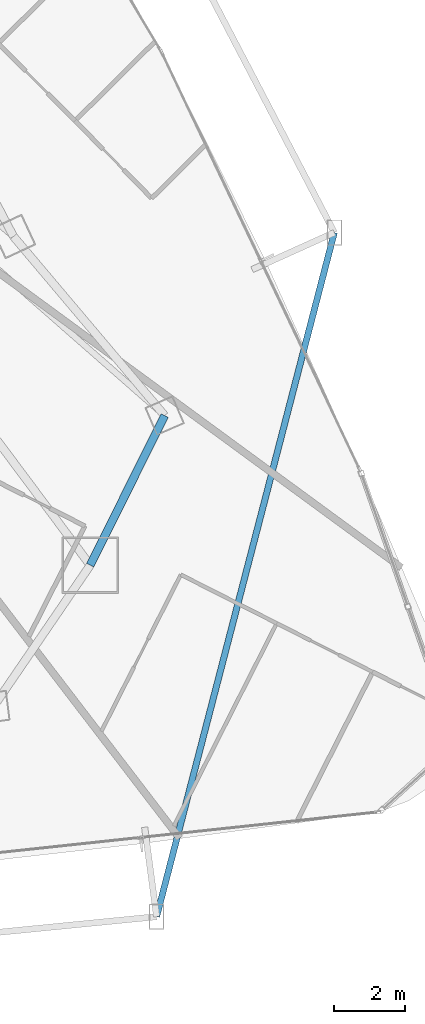
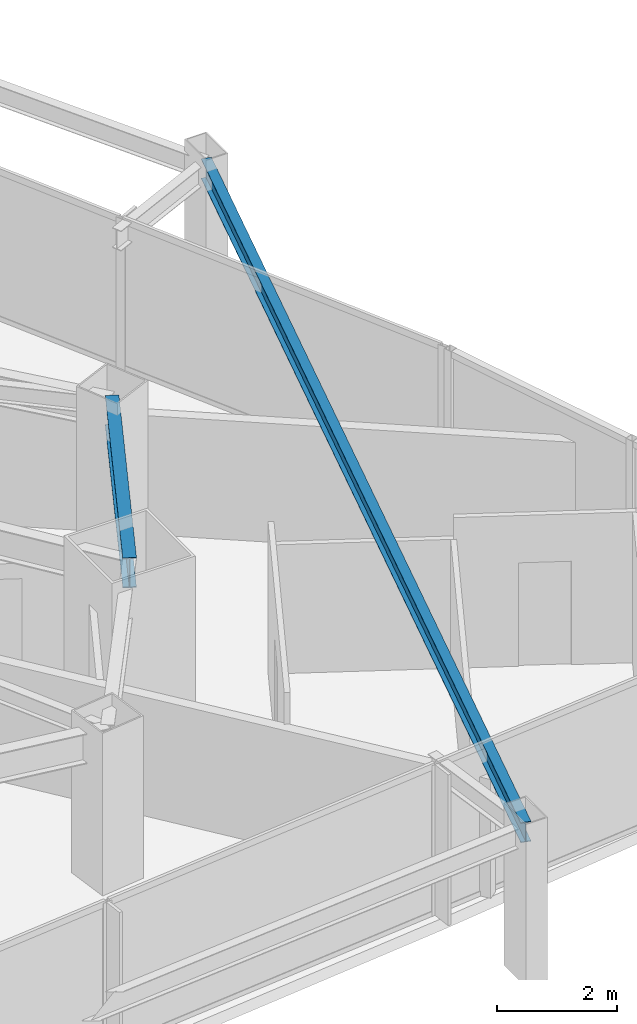
# One storey, part 16 of 35: 2 beams.
"""IFC4 building model written with IfcOpenShell, lengths in metres."""

from ifc_helpers import new_model, si_unit, direction, frame, origin, origin_2d, place, context, subcontext, project, spatial, i_section, extrude, material, material_profile, profile_set, type_object, element, save


model = new_model("IFC4")

# Units and contexts
model_context = context("Model", 3, precision=1e-05, world=origin(), true_north=direction((0.0, 1.0)))
body_context = subcontext(model_context, "Body", "Model", "MODEL_VIEW")
ifc_project = project(units=[si_unit("LENGTHUNIT", "METRE"), si_unit("AREAUNIT", "SQUARE_METRE"), si_unit("VOLUMEUNIT", "CUBIC_METRE"), si_unit("PLANEANGLEUNIT", "RADIAN"), si_unit("MASSUNIT", "GRAM", prefix="KILO")], contexts=[model_context])

# Site, building, storey
site_placement = place(None, origin())
site = spatial("IfcSite", under=ifc_project, at=site_placement, CompositionType="ELEMENT")
building_placement = place(site_placement, origin())
building = spatial("IfcBuilding", under=site, at=building_placement, Name="Orvanel Arch Residences", CompositionType="ELEMENT")
storey_placement = place(building_placement, frame((0.0, 0.0, 26.89990234375)))
storey = spatial("IfcBuildingStorey", under=building, at=storey_placement, Name="L06", CompositionType="ELEMENT", Elevation=26.89990234375)

# Beams
ifc_material = material(Name="Structural steel AS/NZS 3679.1 Grade 300 (300 MPa)", Category="steel")
ifc_material_profile_1 = material_profile(ifc_material, i_section(OverallWidth=0.177978515625, OverallDepth=0.406005859375, WebThickness=0.0078125, FlangeThickness=0.0126953125, at=origin_2d()), Name="410UB59.7")
ifc_profile_set_1 = profile_set([ifc_material_profile_1], Name="Structural steel AS/NZS 3679.1 Grade 300 (300 MPa)")
beam_type_1 = type_object("IfcBeamType", Name="OB-410UB-EXT", PredefinedType="SPANDREL", material=ifc_profile_set_1)
beam_1_placement = place(storey_placement, frame((53.677001953125, 0.416015625, 2.857177734375), z_axis=(0.251495587729, 0.967858444894, 0.0), x_axis=(-0.967858444894, 0.251495587729, 0.0)))
element("IfcBeam", 1, at=beam_1_placement, inside=storey, type_object=beam_type_1, Name="L06 Outer Perimeter Floor Ring Beam 08", PredefinedType="SPANDREL", context=body_context, shape_type="SweptSolid", body=[
    extrude(i_section(OverallWidth=0.177978515625, OverallDepth=0.406005859375, WebThickness=0.0078125, FlangeThickness=0.0126953125, at=origin_2d()), origin(), (0.0, 0.0, 1.0), 19.97998046875),
])
ifc_material_profile_2 = material_profile(ifc_material, i_section(OverallWidth=0.22900390625, OverallDepth=0.612060546875, WebThickness=0.011962890625, FlangeThickness=0.01953125, at=origin_2d()), Name="610UB125")
ifc_profile_set_2 = profile_set([ifc_material_profile_2], Name="Structural steel AS/NZS 3679.1 Grade 300 (300 MPa)")
beam_type_2 = type_object("IfcBeamType", Name="SP-610UB", PredefinedType="SPANDREL", material=ifc_profile_set_2)
beam_2_placement = place(storey_placement, frame((51.801025390625, 10.35107421875, 2.754150390625), z_axis=(0.44543469453, 0.895314432425, 0.0), x_axis=(-0.895314432425, 0.44543469453, 0.0)))
element("IfcBeam", 2, at=beam_2_placement, inside=storey, type_object=beam_type_2, Name="L06 Perimeter Spandrel Beam 11", PredefinedType="SPANDREL", context=body_context, shape_type="SweptSolid", body=[
    extrude(i_section(OverallWidth=0.22900390625, OverallDepth=0.612060546875, WebThickness=0.011962890625, FlangeThickness=0.01953125, at=origin_2d()), origin(), (0.0, 0.0, 1.0), 4.723388671875),
])

save(model, "model.ifc")
